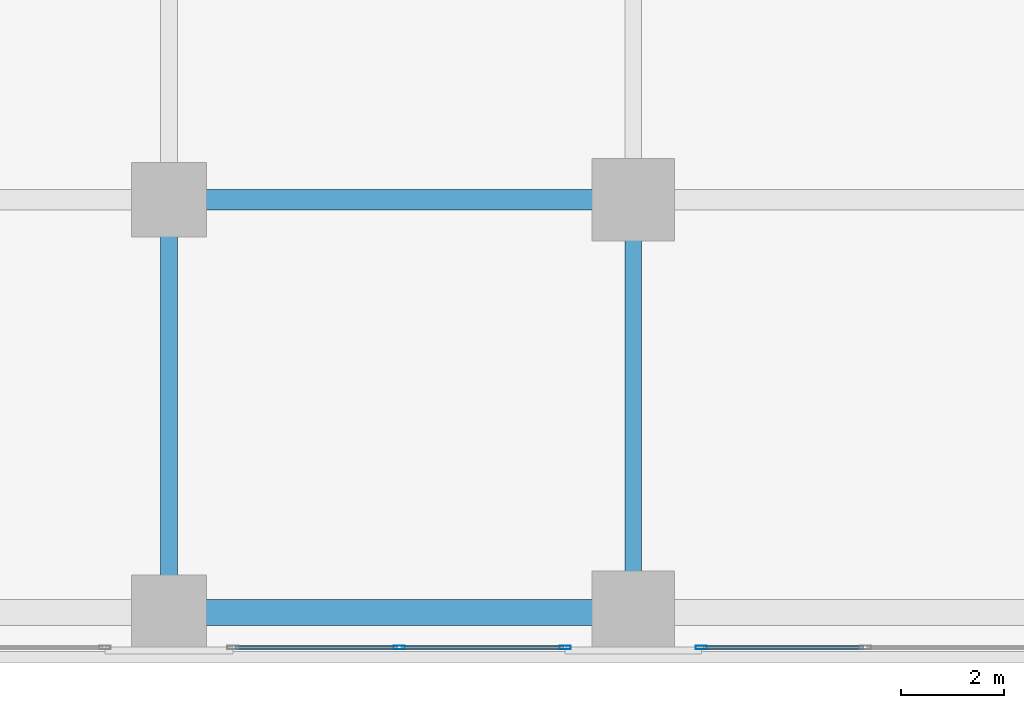
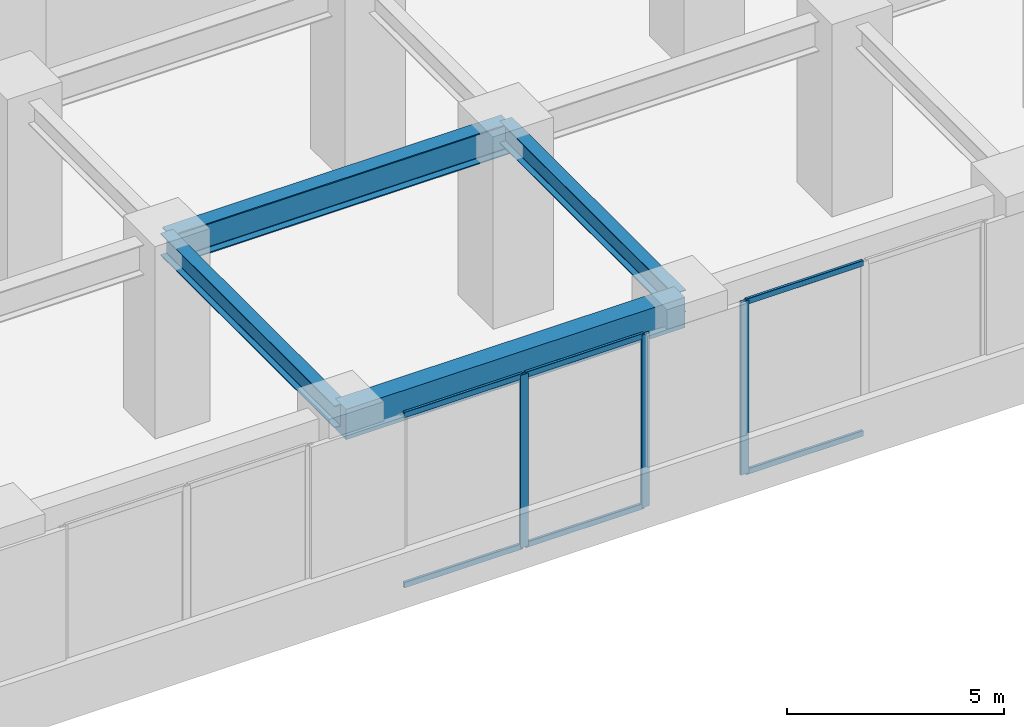
# One storey, part 5 of 33: 9 members, 4 beams, 2 elements without a shape of their own.
"""IFC4 building model written with IfcOpenShell, lengths in metres."""

import ifcopenshell
import ifcopenshell.guid

model = None  # the IFC model being written
_history = None  # IfcOwnerHistory: only IFC2X3 demands one
_inside = {}  # id of a spatial element -> (the spatial element, [elements in it])
_under = {}  # id of a project, library or spatial element -> (it, [spatial elements below it])
_declared = {}  # id of a project -> (the project, [libraries it declares])
_typed = {}  # id of a type object -> (the type object, [elements of that type])
_made_of = {}  # id of a material, layer set ... -> (it, [elements and type objects made of it])


def new_model(schema):
    """Start an empty IFC model of exactly this schema.

    Asked for "IFC4X3", IfcOpenShell would pick the latest addendum, in which some entities
    have other attributes; the version numbers below select the first issue.
    IFC2X3 requires an IfcOwnerHistory on every rooted entity: one is made here for all.
    """
    global model, _history
    if schema == "IFC4X3":
        model = ifcopenshell.file(schema_version=(4, 3, 0, 0))
    else:
        model = ifcopenshell.file(schema=schema)
    _inside.clear()
    _under.clear()
    _declared.clear()
    _typed.clear()
    _made_of.clear()
    _history = None
    if model.schema == "IFC2X3":
        org = make("IfcOrganization", Name="unknown")
        user = make(
            "IfcPersonAndOrganization",
            ThePerson=make("IfcPerson", FamilyName="unknown"),
            TheOrganization=org,
        )
        app = make(
            "IfcApplication",
            ApplicationDeveloper=org,
            Version="unknown",
            ApplicationFullName="unknown",
            ApplicationIdentifier="unknown",
        )
        _history = make(
            "IfcOwnerHistory",
            OwningUser=user,
            OwningApplication=app,
            ChangeAction="ADDED",
            CreationDate=0,
        )
    return model


def make(cls, **values):
    """One entity of the class cls with the attributes given. An attribute that is None is left unset."""
    return model.create_entity(
        cls, **{name: value for name, value in values.items() if value is not None}
    )


def rooted(cls, **values):
    """An entity with a GlobalId (a new one), such as an element, a storey or a relation."""
    return make(cls, GlobalId=ifcopenshell.guid.new(), OwnerHistory=_history, **values)


def si_unit(unit_type, name, prefix=None):
    """IfcSIUnit, for example si_unit("LENGTHUNIT", "METRE", prefix="MILLI")."""
    return make("IfcSIUnit", UnitType=unit_type, Prefix=prefix, Name=name)


def assignment(units):
    """IfcUnitAssignment: the units of a project."""
    return None if units is None else make("IfcUnitAssignment", Units=units)


def point(xyz):
    """IfcCartesianPoint."""
    return None if xyz is None else make("IfcCartesianPoint", Coordinates=xyz)


def direction(xyz):
    """IfcDirection."""
    return None if xyz is None else make("IfcDirection", DirectionRatios=xyz)


def frame(location, z_axis=None, x_axis=None):
    """IfcAxis2Placement3D, a coordinate frame: its origin and axes. An axis left out is left unset."""
    return make(
        "IfcAxis2Placement3D",
        Location=point(location),
        Axis=direction(z_axis),
        RefDirection=direction(x_axis),
    )


def frame_2d(location, x_axis=None):
    """IfcAxis2Placement2D, a coordinate frame in the plane: its origin and x axis."""
    return make(
        "IfcAxis2Placement2D", Location=point(location), RefDirection=direction(x_axis)
    )


def origin():
    """The frame at (0, 0, 0) with its axes left unset."""
    return frame((0.0, 0.0, 0.0))


def origin_2d():
    """The frame at (0, 0) in the plane with its x axis left unset."""
    return frame_2d((0.0, 0.0))


def place(relative_to, where):
    """IfcLocalPlacement: puts the frame where relative to a parent placement (None: the world)."""
    return make(
        "IfcLocalPlacement", PlacementRelTo=relative_to, RelativePlacement=where
    )


def context(
    kind, dimensions, precision=None, world=None, true_north=None, identifier=None
):
    """IfcGeometricRepresentationContext, for example the 3D "Model" context."""
    return make(
        "IfcGeometricRepresentationContext",
        ContextIdentifier=identifier,
        ContextType=kind,
        CoordinateSpaceDimension=dimensions,
        Precision=precision,
        WorldCoordinateSystem=world,
        TrueNorth=true_north,
    )


def subcontext(parent, identifier, kind, view, scale=None):
    """IfcGeometricRepresentationSubContext, for example "Body" below "Model"."""
    return make(
        "IfcGeometricRepresentationSubContext",
        ContextIdentifier=identifier,
        ContextType=kind,
        ParentContext=parent,
        TargetScale=scale,
        TargetView=view,
    )


def project(units=None, contexts=None):
    """IfcProject with its units and contexts."""
    return rooted(
        "IfcProject",
        Name="project",
        RepresentationContexts=contexts,
        UnitsInContext=assignment(units),
    )


def spatial(cls, under=None, at=None, **own):
    """A site, building, storey or space (cls), placed at a placement, below another one or the project."""
    s = rooted(cls, ObjectPlacement=at, **own)
    if under is not None:
        _under.setdefault(under.id(), (under, []))[1].append(s)
    return s


def profile(cls, at=None, kind="AREA", **sizes):
    """A parametric profile (cls). Its sizes go by their IFC names, for example OverallWidth=200.0."""
    return make(cls, ProfileType=kind, Position=at, **sizes)


def rectangle(**sizes):
    """IfcRectangleProfileDef."""
    return profile("IfcRectangleProfileDef", **sizes)


def hollow_rectangle(**sizes):
    """IfcRectangleHollowProfileDef."""
    return profile("IfcRectangleHollowProfileDef", **sizes)


def i_section(**sizes):
    """IfcIShapeProfileDef."""
    return profile("IfcIShapeProfileDef", **sizes)


def extrude(swept, where, along, depth):
    """IfcExtrudedAreaSolid: the profile swept, set in the frame where, extruded along a direction by depth."""
    return make(
        "IfcExtrudedAreaSolid",
        SweptArea=swept,
        Position=where,
        ExtrudedDirection=direction(along),
        Depth=depth,
    )


def shape(context_of_items, identifier, shape_type, items):
    """IfcShapeRepresentation: the items that make up one representation, for example the "Body"."""
    return make(
        "IfcShapeRepresentation",
        ContextOfItems=context_of_items,
        RepresentationIdentifier=identifier,
        RepresentationType=shape_type,
        Items=items,
    )


def source(mapping_origin, context_of_items, identifier, shape_type, items):
    """IfcRepresentationMap: a shape defined once, which mapped items show again and again."""
    return make(
        "IfcRepresentationMap",
        MappingOrigin=mapping_origin,
        MappedRepresentation=shape(context_of_items, identifier, shape_type, items),
    )


def transform(
    local_origin,
    x_axis=None,
    y_axis=None,
    z_axis=None,
    scale=None,
    scale2=None,
    scale3=None,
    uniform=True,
):
    """IfcCartesianTransformationOperator3D, or its non-uniform kind. x_axis, y_axis, z_axis: its Axis1, 2, 3."""
    if uniform:
        return make(
            "IfcCartesianTransformationOperator3D",
            Axis1=direction(x_axis),
            Axis2=direction(y_axis),
            LocalOrigin=point(local_origin),
            Scale=scale,
            Axis3=direction(z_axis),
        )
    return make(
        "IfcCartesianTransformationOperator3DnonUniform",
        Axis1=direction(x_axis),
        Axis2=direction(y_axis),
        LocalOrigin=point(local_origin),
        Scale=scale,
        Axis3=direction(z_axis),
        Scale2=scale2,
        Scale3=scale3,
    )


def mapped(mapping_source, mapping_target):
    """IfcMappedItem: shows the shape of a source again, moved by a transform."""
    return make(
        "IfcMappedItem", MappingSource=mapping_source, MappingTarget=mapping_target
    )


def material(Name=None, Category=None):
    """IfcMaterial."""
    return make("IfcMaterial", Name=Name, Category=Category)


def material_profile(
    of_material, cross_section, Name=None, Category=None, Priority=None
):
    """IfcMaterialProfile: a cross section and its material."""
    return make(
        "IfcMaterialProfile",
        Name=Name,
        Material=of_material,
        Profile=cross_section,
        Priority=Priority,
        Category=Category,
    )


def profile_set(profiles, Name=None, composite=None):
    """IfcMaterialProfileSet."""
    return make(
        "IfcMaterialProfileSet",
        Name=Name,
        MaterialProfiles=profiles,
        CompositeProfile=composite,
    )


def made_of(thing, what):
    """Note that an element or type object is made of a material, layer set ...; save() writes the relation."""
    if what is not None:
        _made_of.setdefault(what.id(), (what, []))[1].append(thing)
    return thing


def type_object(cls, material=None, **own):
    """A type object (cls), such as IfcWallType, which elements share."""
    return made_of(rooted(cls, **own), material)


def element(
    cls,
    number,
    at=None,
    inside=None,
    cuts=None,
    type_object=None,
    material=None,
    context=None,
    identifier="Body",
    shape_type=None,
    held_by="IfcProductDefinitionShape",
    body=None,
    shapes=None,
    **own,
):
    """One element of the class cls, such as IfcWall. Its Tag is "e" and its number.

    at: its placement. inside: the storey or other place that contains it. cuts: it is an
    opening in that element (IfcRelVoidsElement). A single representation is given by context,
    identifier, shape_type and body (its items); several are given by shapes. held_by: the class
    of the entity that holds the representations. save() writes the other relations.
    """
    e = rooted(cls, Tag="e%d" % number, ObjectPlacement=at, **own)
    if body is not None:
        shapes = [shape(context, identifier, shape_type, body)]
    if shapes is not None:
        e.Representation = make(held_by, Representations=shapes)
    if inside is not None:
        _inside.setdefault(inside.id(), (inside, []))[1].append(e)
    if cuts is not None:
        rooted(
            "IfcRelVoidsElement", RelatingBuildingElement=cuts, RelatedOpeningElement=e
        )
    if type_object is not None:
        _typed.setdefault(type_object.id(), (type_object, []))[1].append(e)
    return made_of(e, material)


def aggregate(whole, parts):
    """IfcRelAggregates: a whole, such as a stair, and the parts it consists of."""
    return rooted("IfcRelAggregates", RelatingObject=whole, RelatedObjects=parts)


def save(model, path):
    """Write the relations noted so far, then the file.

    IfcRelAggregates (storeys below a building ...), IfcRelContainedInSpatialStructure (elements
    in a storey), IfcRelDefinesByType, IfcRelAssociatesMaterial and IfcRelDeclares: one each for
    every whole, place, type object, material and project.
    """
    for whole, parts in _under.values():
        aggregate(whole, parts)
    for where, things in _inside.values():
        rooted(
            "IfcRelContainedInSpatialStructure",
            RelatedElements=things,
            RelatingStructure=where,
        )
    for kind, things in _typed.values():
        rooted("IfcRelDefinesByType", RelatedObjects=things, RelatingType=kind)
    for what, things in _made_of.values():
        rooted("IfcRelAssociatesMaterial", RelatedObjects=things, RelatingMaterial=what)
    for by, libraries in _declared.values():
        rooted("IfcRelDeclares", RelatingContext=by, RelatedDefinitions=libraries)
    model.write(path)


model = new_model("IFC4")

# Units and contexts
model_context = context("Model", 3, precision=1e-05, world=origin(), true_north=direction((0.0, 1.0)))
body_context = subcontext(model_context, "Body", "Model", "MODEL_VIEW")
ifc_project = project(units=[si_unit("LENGTHUNIT", "METRE"), si_unit("AREAUNIT", "SQUARE_METRE"), si_unit("VOLUMEUNIT", "CUBIC_METRE"), si_unit("PLANEANGLEUNIT", "RADIAN"), si_unit("MASSUNIT", "GRAM", prefix="KILO")], contexts=[model_context])

# Site, building, storey
site_placement = place(None, origin())
site = spatial("IfcSite", under=ifc_project, at=site_placement, CompositionType="ELEMENT")
building_placement = place(site_placement, origin())
building = spatial("IfcBuilding", under=site, at=building_placement, Name="Torre Montelarca", CompositionType="ELEMENT")
storey_placement = place(building_placement, frame((0.0, 0.0, 12.0)))
storey = spatial("IfcBuildingStorey", under=building, at=storey_placement, Name="L03", CompositionType="ELEMENT", Elevation=12.0)

# Beams
ifc_material_1 = material(Name="Concrete C55/67", Category="concrete")
ifc_material_profile_1 = material_profile(ifc_material_1, rectangle(XDim=0.5, YDim=0.85009765625, at=origin_2d()), Name="RCB500X850", Category="concrete")
ifc_profile_set_1 = profile_set([ifc_material_profile_1], Name="Concrete C55/67")
beam_type_1 = type_object("IfcBeamType", Name="BM-SP-RC850-EXT", PredefinedType="SPANDREL", material=ifc_profile_set_1)
shared_shape_1 = source(origin(), body_context, "Body", "SweptSolid", [
    extrude(rectangle(XDim=0.5, YDim=0.85009765625, at=origin_2d()), origin(), (0.0, 0.0, 1.0), 9.0),
])
beam_1_placement = place(storey_placement, frame((18.0, 0.0, 4.715087890625), z_axis=(1.0, 0.0, 0.0), x_axis=(0.0, 1.0, 0.0)))
element("IfcBeam", 1, at=beam_1_placement, inside=storey, type_object=beam_type_1, Name="L03 Grid Girder X 18.0-27.0 at Y=0.0", PredefinedType="SPANDREL", context=body_context, shape_type="MappedRepresentation", body=[
    mapped(shared_shape_1, transform((0.0, 0.0, 0.0), scale=1.0)),
])
ifc_material_2 = material(Name="Steel ASTM A992 Grade 50", Category="steel")
ifc_material_profile_2 = material_profile(ifc_material_2, i_section(OverallWidth=0.39990234375, OverallDepth=0.85498046875, WebThickness=0.018310546875, FlangeThickness=0.029296875, FilletRadius=0.02001953125, at=origin_2d()), Name="W840X299", Category="steel")
ifc_profile_set_2 = profile_set([ifc_material_profile_2], Name="Steel ASTM A992 Grade 50")
beam_type_2 = type_object("IfcBeamType", Name="BM-G-W840", PredefinedType="BEAM", material=ifc_profile_set_2)
shared_shape_2 = source(origin(), body_context, "Body", "SweptSolid", [
    extrude(i_section(OverallWidth=0.39990234375, OverallDepth=0.85498046875, WebThickness=0.018310546875, FlangeThickness=0.029296875, FilletRadius=0.02001953125, at=origin_2d()), origin(), (0.0, 0.0, 1.0), 9.0),
])
beam_2_placement = place(storey_placement, frame((18.0, 8.0, 4.7119140625), z_axis=(1.0, 0.0, 0.0), x_axis=(0.0, 1.0, 0.0)))
element("IfcBeam", 2, at=beam_2_placement, inside=storey, type_object=beam_type_2, Name="L03 Grid Girder X 18.0-27.0 at Y=8.0", PredefinedType="BEAM", context=body_context, shape_type="MappedRepresentation", body=[
    mapped(shared_shape_2, transform((0.0, 0.0, 0.0), scale=1.0)),
])
ifc_material_profile_3 = material_profile(ifc_material_2, i_section(OverallWidth=0.326904296875, OverallDepth=0.6220703125, WebThickness=0.015380859375, FlangeThickness=0.0244140625, FilletRadius=0.014892578125, at=origin_2d()), Name="W610X195", Category="steel")
ifc_profile_set_3 = profile_set([ifc_material_profile_3], Name="Steel ASTM A992 Grade 50")
beam_type_3 = type_object("IfcBeamType", Name="BM-G-W610H", PredefinedType="BEAM", material=ifc_profile_set_3)
shared_shape_3 = source(origin(), body_context, "Body", "SweptSolid", [
    extrude(i_section(OverallWidth=0.326904296875, OverallDepth=0.6220703125, WebThickness=0.015380859375, FlangeThickness=0.0244140625, FilletRadius=0.014892578125, at=origin_2d()), origin(), (0.0, 0.0, 1.0), 8.0),
])
for number, where, z_axis, x_axis, name in (
    (3, (18.0, 0.0, 4.8291015625), (0.0, 1.0, 0.0), (-1.0, 0.0, 0.0), "L03 Grid Girder Y 0.0-8.0 at X=18.0"),
    (4, (27.0, 0.0, 4.8291015625), (0.0, 1.0, 0.0), (-1.0, 0.0, 0.0), "L03 Grid Girder Y 0.0-8.0 at X=27.0"),
):
    element("IfcBeam", number, at=place(storey_placement, frame(where, z_axis=z_axis, x_axis=x_axis)), inside=storey, type_object=beam_type_3, Name=name, PredefinedType="BEAM", context=body_context, shape_type="MappedRepresentation", body=[
        mapped(shared_shape_3, transform((0.0, 0.0, 0.0), scale=1.0)),
    ])

# Curtain wall, members
ifc_material_3 = material(Name="Insulated low-E laminated glass", Category="glass")
curtain_wall_type = type_object("IfcCurtainWallType", Name="CW-SYS-POD2", PredefinedType="USERDEFINED", material=ifc_material_3)
curtain_wall_1_placement = place(storey_placement, origin())
curtain_wall_1 = element("IfcCurtainWall", 5, at=curtain_wall_1_placement, inside=storey, type_object=curtain_wall_type, Name="L03 Curtain Wall Run CW-T3-L03-E01-B2", ObjectType="UNITISED GLAZING", PredefinedType="USERDEFINED")
ifc_material_4 = material(Name="Anodised aluminium AA 6063-T6", Category="aluminium")
ifc_material_profile_4 = material_profile(ifc_material_4, hollow_rectangle(XDim=0.074951171875, YDim=0.159912109375, WallThickness=0.0048828125, InnerFilletRadius=0.0048828125, OuterFilletRadius=0.010009765625, at=origin_2d()), Name="ALU75X160X5", Category="aluminium")
ifc_profile_set_4 = profile_set([ifc_material_profile_4], Name="Anodised aluminium AA 6063-T6")
member_type_1 = type_object("IfcMemberType", Name="CWT-ALU160", PredefinedType="USERDEFINED", material=ifc_profile_set_4)
shared_shape_4 = source(origin(), body_context, "Body", "SweptSolid", [
    extrude(hollow_rectangle(XDim=0.074951171875, YDim=0.159912109375, WallThickness=0.0048828125, InnerFilletRadius=0.0048828125, OuterFilletRadius=0.010009765625, at=origin_2d()), origin(), (0.0, 0.0, 1.0), 3.14501953125),
])
member_1_placement = place(storey_placement, frame((19.280029296875, -0.679931640625, 0.03759765625), z_axis=(1.0, 0.0, 0.0), x_axis=(0.0, 1.0, 0.0)))
member_1 = element("IfcMember", 6, at=member_1_placement, type_object=member_type_1, Name="CW transom 1.1", ObjectType="TRANSOM", PredefinedType="USERDEFINED", context=body_context, shape_type="MappedRepresentation", body=[
    mapped(shared_shape_4, transform((0.0, 0.0, 0.0), scale=1.0)),
])
member_2_placement = place(storey_placement, frame((19.280029296875, -0.679931640625, 4.8125), z_axis=(1.0, 0.0, 0.0), x_axis=(0.0, 1.0, 0.0)))
member_2 = element("IfcMember", 7, at=member_2_placement, type_object=member_type_1, Name="CW transom 1.2", ObjectType="TRANSOM", PredefinedType="USERDEFINED", context=body_context, shape_type="MappedRepresentation", body=[
    mapped(shared_shape_4, transform((0.0, 0.0, 0.0), scale=1.0)),
])
member_3_placement = place(storey_placement, frame((22.5, -0.679931640625, 0.03759765625), z_axis=(1.0, 0.0, 0.0), x_axis=(0.0, 1.0, 0.0)))
member_3 = element("IfcMember", 8, at=member_3_placement, type_object=member_type_1, Name="CW transom 2.1", ObjectType="TRANSOM", PredefinedType="USERDEFINED", context=body_context, shape_type="MappedRepresentation", body=[
    mapped(shared_shape_4, transform((0.0, 0.0, 0.0), scale=1.0)),
])
member_4_placement = place(storey_placement, frame((22.5, -0.679931640625, 4.8125), z_axis=(1.0, 0.0, 0.0), x_axis=(0.0, 1.0, 0.0)))
member_4 = element("IfcMember", 9, at=member_4_placement, type_object=member_type_1, Name="CW transom 2.2", ObjectType="TRANSOM", PredefinedType="USERDEFINED", context=body_context, shape_type="MappedRepresentation", body=[
    mapped(shared_shape_4, transform((0.0, 0.0, 0.0), scale=1.0)),
])

curtain_wall_2_placement = place(storey_placement, origin())
curtain_wall_2 = element("IfcCurtainWall", 10, at=curtain_wall_2_placement, inside=storey, type_object=curtain_wall_type, Name="L03 Curtain Wall Run CW-T3-L03-E01-B3", ObjectType="UNITISED GLAZING", PredefinedType="USERDEFINED")
shared_shape_5 = source(origin(), body_context, "Body", "SweptSolid", [
    extrude(hollow_rectangle(XDim=0.074951171875, YDim=0.159912109375, WallThickness=0.0048828125, InnerFilletRadius=0.0048828125, OuterFilletRadius=0.010009765625, at=origin_2d()), origin(), (0.0, 0.0, 1.0), 3.107421875),
])
member_5_placement = place(storey_placement, frame((28.35498046875, -0.679931640625, 0.03759765625), z_axis=(1.0, 0.0, 0.0), x_axis=(0.0, 1.0, 0.0)))
member_5 = element("IfcMember", 11, at=member_5_placement, type_object=member_type_1, Name="CW transom 1.1", ObjectType="TRANSOM", PredefinedType="USERDEFINED", context=body_context, shape_type="MappedRepresentation", body=[
    mapped(shared_shape_5, transform((0.0, 0.0, 0.0), scale=1.0)),
])
member_6_placement = place(storey_placement, frame((28.35498046875, -0.679931640625, 4.8125), z_axis=(1.0, 0.0, 0.0), x_axis=(0.0, 1.0, 0.0)))
member_6 = element("IfcMember", 12, at=member_6_placement, type_object=member_type_1, Name="CW transom 1.2", ObjectType="TRANSOM", PredefinedType="USERDEFINED", context=body_context, shape_type="MappedRepresentation", body=[
    mapped(shared_shape_5, transform((0.0, 0.0, 0.0), scale=1.0)),
])

# Member
ifc_material_profile_5 = material_profile(ifc_material_4, hollow_rectangle(XDim=0.074951171875, YDim=0.219970703125, WallThickness=0.0048828125, InnerFilletRadius=0.0048828125, OuterFilletRadius=0.010009765625, at=origin_2d()), Name="ALU75X220X5", Category="aluminium")
ifc_profile_set_5 = profile_set([ifc_material_profile_5], Name="Anodised aluminium AA 6063-T6")
member_type_2 = type_object("IfcMemberType", Name="CWM-ALU220", PredefinedType="MULLION", material=ifc_profile_set_5)
shared_shape_6 = source(origin(), body_context, "Body", "SweptSolid", [
    extrude(hollow_rectangle(XDim=0.074951171875, YDim=0.219970703125, WallThickness=0.0048828125, InnerFilletRadius=0.0048828125, OuterFilletRadius=0.010009765625, at=origin_2d()), origin(), (0.0, 0.0, 1.0), 4.85009765625),
])
member_7_placement = place(storey_placement, frame((22.46240234375, -0.679931640625, 0.0), z_axis=(0.0, 0.0, 1.0), x_axis=(0.0, 1.0, 0.0)))
member_7 = element("IfcMember", 13, at=member_7_placement, type_object=member_type_2, Name="CW mullion 2", PredefinedType="MULLION", context=body_context, shape_type="MappedRepresentation", body=[
    mapped(shared_shape_6, transform((0.0, 0.0, 0.0), scale=1.0)),
])

member_8_placement = place(storey_placement, frame((25.6826171875, -0.679931640625, 0.0), z_axis=(0.0, 0.0, 1.0), x_axis=(0.0, 1.0, 0.0)))
member_8 = element("IfcMember", 14, at=member_8_placement, type_object=member_type_2, Name="CW mullion 3", PredefinedType="MULLION", context=body_context, shape_type="MappedRepresentation", body=[
    mapped(shared_shape_6, transform((0.0, 0.0, 0.0), scale=1.0)),
])

aggregate(curtain_wall_1, [member_7, member_8, member_1, member_2, member_3, member_4])

member_9_placement = place(storey_placement, frame((28.3173828125, -0.679931640625, 0.0), z_axis=(0.0, 0.0, 1.0), x_axis=(0.0, 1.0, 0.0)))
member_9 = element("IfcMember", 15, at=member_9_placement, type_object=member_type_2, Name="CW mullion 1", PredefinedType="MULLION", context=body_context, shape_type="MappedRepresentation", body=[
    mapped(shared_shape_6, transform((0.0, 0.0, 0.0), scale=1.0)),
])

aggregate(curtain_wall_2, [member_9, member_5, member_6])

save(model, "model.ifc")
